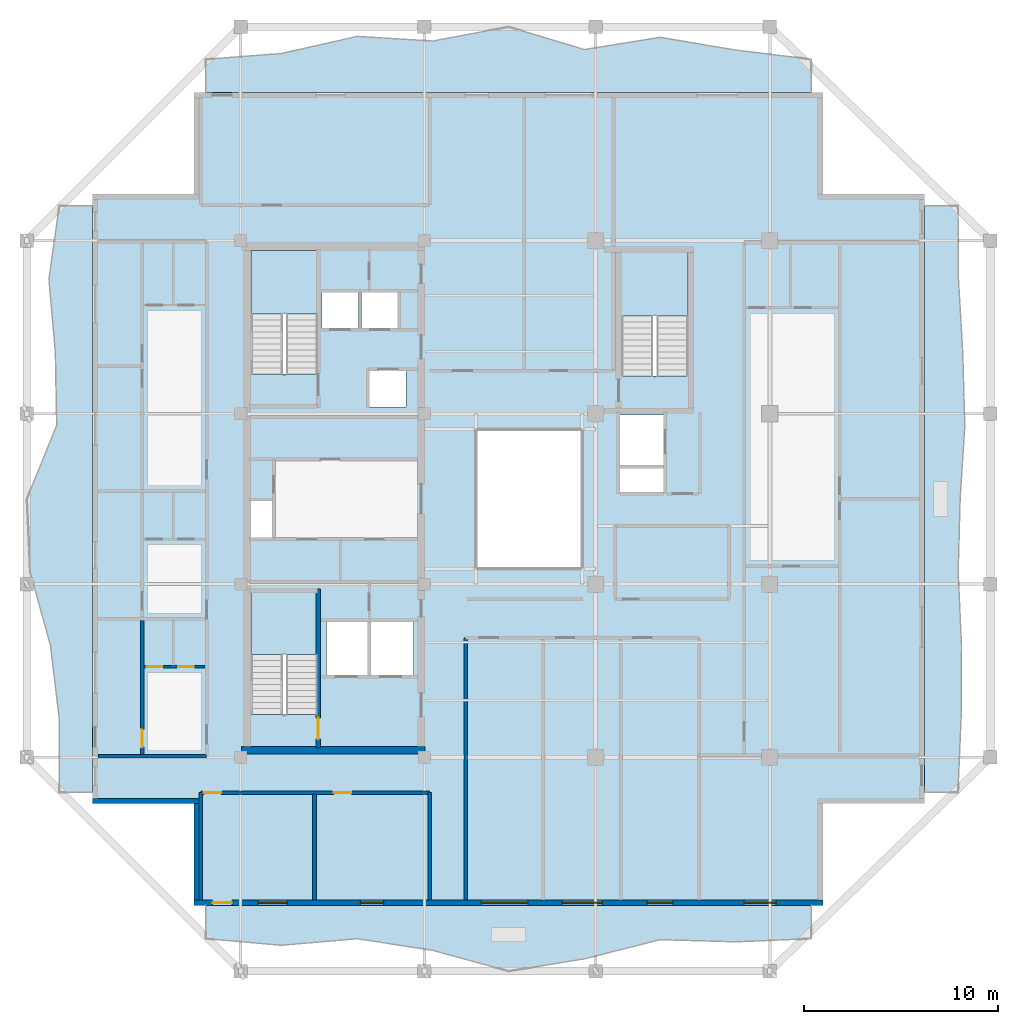
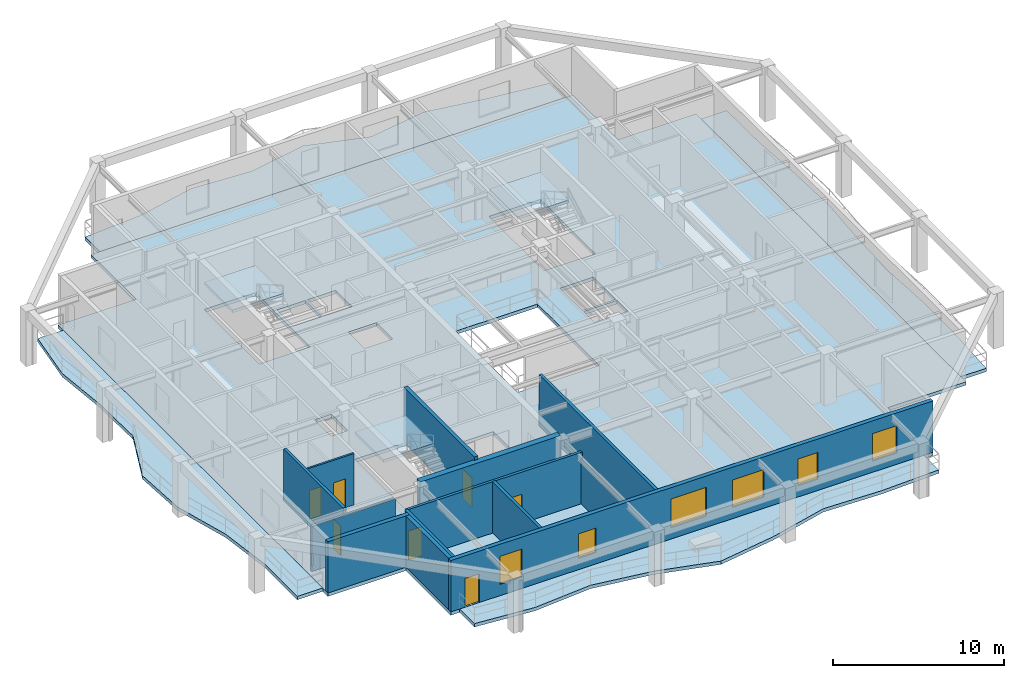
# One storey, part 2 of 11: 13 walls, 8 slabs, 7 doors, 6 windows, 13 openings, 3 elements without a shape of their own.
"""IFC4 building model written with IfcOpenShell, lengths in metres."""

from ifc_helpers import new_model, si_unit, direction, frame, frame_2d, origin, place, context, subcontext, project, spatial, polyline, rectangle, outline, extrude, material, layer, layer_set, type_object, element, fill, aggregate, save


model = new_model("IFC4")

# Units and contexts
model_context = context("Model", 3, precision=1e-05, world=origin(), true_north=direction((0.0, 1.0)))
body_context = subcontext(model_context, "Body", "Model", "MODEL_VIEW")
ifc_project = project(units=[si_unit("LENGTHUNIT", "METRE"), si_unit("AREAUNIT", "SQUARE_METRE"), si_unit("VOLUMEUNIT", "CUBIC_METRE"), si_unit("PLANEANGLEUNIT", "RADIAN"), si_unit("MASSUNIT", "GRAM", prefix="KILO")], contexts=[model_context])

# Site, building, storey
site_placement = place(None, origin())
site = spatial("IfcSite", under=ifc_project, at=site_placement, CompositionType="ELEMENT")
building_placement = place(site_placement, origin())
building = spatial("IfcBuilding", under=site, at=building_placement, Name="Kundavana Baori Tower", CompositionType="ELEMENT")
storey_placement = place(building_placement, frame((0.0, 0.0, 260.89990234375)))
storey = spatial("IfcBuildingStorey", under=building, at=storey_placement, Name="L64", CompositionType="ELEMENT", Elevation=260.89990234375)

# Slab
ifc_material_1 = material(Name="Concrete C40/50", Category="concrete")
ifc_layer_1 = layer(ifc_material_1, 0.239990234375, Name="SLB-FLR-240")
ifc_layer_set_1 = layer_set([ifc_layer_1], Name="Concrete C40/50")
slab_type_1 = type_object("IfcSlabType", Name="SLB-FLR-240", PredefinedType="FLOOR", material=ifc_layer_set_1)
slab_1_placement = place(storey_placement, frame((0.0, 0.0, -0.239990234375)))
element("IfcSlab", 1, at=slab_1_placement, inside=storey, type_object=slab_type_1, Name="L64 Structural Floor Slab", PredefinedType="FLOOR", context=body_context, shape_type="SweptSolid", body=[
    extrude(outline(polyline([(13.050048828125, 7.60009765625), (45.550048828125, 7.60009765625), (45.550048828125, 12.85009765625), (50.800048828125, 12.85009765625), (50.800048828125, 44.35009765625), (45.550048828125, 44.35009765625), (45.550048828125, 49.60009765625), (13.050048828125, 49.60009765625), (13.050048828125, 44.35009765625), (7.800048828125, 44.35009765625), (7.800048828125, 12.85009765625), (13.050048828125, 12.85009765625), (13.050048828125, 7.60009765625)]), holes=[polyline([(19.43994140625, 17.4619140625), (19.43994140625, 23.85009765625), (15.97998046875, 23.85009765625), (15.97998046875, 17.4619140625), (19.43994140625, 17.4619140625)]), polyline([(19.43994140625, 35.06201171875), (19.43994140625, 41.449951171875), (15.97998046875, 41.449951171875), (15.97998046875, 35.06201171875), (19.43994140625, 35.06201171875)]), polyline([(38.580078125, 34.9619140625), (38.580078125, 41.35009765625), (35.1201171875, 41.35009765625), (35.1201171875, 34.9619140625), (38.580078125, 34.9619140625)]), polyline([(19.64990234375, 37.39990234375), (21.550048828125, 37.39990234375), (21.550048828125, 39.300048828125), (19.64990234375, 39.300048828125), (19.64990234375, 37.39990234375)]), polyline([(21.699951171875, 37.39990234375), (23.60009765625, 37.39990234375), (23.60009765625, 39.300048828125), (21.699951171875, 39.300048828125), (21.699951171875, 37.39990234375)]), polyline([(22.10009765625, 33.35009765625), (24.0, 33.35009765625), (24.0, 35.25), (22.10009765625, 35.25), (22.10009765625, 33.35009765625)]), polyline([(19.8798828125, 19.5), (22.02001953125, 19.5), (22.02001953125, 22.25), (19.8798828125, 22.25), (19.8798828125, 19.5)]), polyline([(22.179931640625, 19.5), (24.3798828125, 19.5), (24.3798828125, 22.25), (22.179931640625, 22.25), (22.179931640625, 19.5)]), polyline([(35.050048828125, 30.35009765625), (37.300048828125, 30.35009765625), (37.300048828125, 32.949951171875), (35.050048828125, 32.949951171875), (35.050048828125, 30.35009765625)]), polyline([(15.949951171875, 26.60009765625), (17.080078125, 26.60009765625), (17.080078125, 28.5), (15.949951171875, 28.5), (15.949951171875, 26.60009765625)]), polyline([(35.050048828125, 28.949951171875), (37.300048828125, 28.949951171875), (37.300048828125, 30.199951171875), (35.050048828125, 30.199951171875), (35.050048828125, 28.949951171875)]), polyline([(27.60009765625, 25.0), (33.10009765625, 25.0), (33.10009765625, 32.199951171875), (27.60009765625, 32.199951171875), (27.60009765625, 25.0)])]), origin(), (0.0, 0.0, 1.0), 0.239990234375),
])

# Stair, slab
ifc_material_2 = material(Name="Concrete C40/50", Category="concrete")
stair_type = type_object("IfcStairType", Name="STR-DOG-1650", PredefinedType="HALF_TURN_STAIR", material=ifc_material_2)
stair_1_placement = place(storey_placement, origin())
stair_1 = element("IfcStair", 2, at=stair_1_placement, inside=storey, type_object=stair_type, Name="L64 Protected Exit Stair ST1", PredefinedType="HALF_TURN_STAIR")
ifc_material_3 = material(Name="Concrete C40/50", Category="concrete")
ifc_layer_2 = layer(ifc_material_3, 0.199951171875, Name="SLB-LND-200")
ifc_layer_set_2 = layer_set([ifc_layer_2], Name="Concrete C40/50")
slab_type_2 = type_object("IfcSlabType", Name="SLB-LND-200", PredefinedType="LANDING", material=ifc_layer_set_2)
slab_2_placement = place(storey_placement, frame((0.0, 0.0, 1.75)))
slab_2 = element("IfcSlab", 3, at=slab_2_placement, type_object=slab_type_2, Name="ST1 landing 1", PredefinedType="LANDING", context=body_context, shape_type="SweptSolid", body=[
    extrude(outline(polyline([(19.43994140625, 20.550048828125), (19.43994140625, 23.85009765625), (15.97998046875, 23.85009765625), (15.97998046875, 20.550048828125), (19.43994140625, 20.550048828125)])), origin(), (0.0, 0.0, 1.0), 0.2001953125),
])
aggregate(stair_1, [slab_2])

stair_2_placement = place(storey_placement, origin())
stair_2 = element("IfcStair", 4, at=stair_2_placement, inside=storey, type_object=stair_type, Name="L64 Protected Exit Stair ST2", PredefinedType="HALF_TURN_STAIR")
slab_3_placement = place(storey_placement, frame((0.0, 0.0, 1.75)))
slab_3 = element("IfcSlab", 5, at=slab_3_placement, type_object=slab_type_2, Name="ST2 landing 1", PredefinedType="LANDING", context=body_context, shape_type="SweptSolid", body=[
    extrude(outline(polyline([(19.43994140625, 38.14990234375), (19.43994140625, 41.449951171875), (15.97998046875, 41.449951171875), (15.97998046875, 38.14990234375), (19.43994140625, 38.14990234375)])), origin(), (0.0, 0.0, 1.0), 0.2001953125),
])
aggregate(stair_2, [slab_3])

stair_3_placement = place(storey_placement, origin())
stair_3 = element("IfcStair", 6, at=stair_3_placement, inside=storey, type_object=stair_type, Name="L64 Protected Exit Stair ST3", PredefinedType="HALF_TURN_STAIR")
slab_4_placement = place(storey_placement, frame((0.0, 0.0, 1.75)))
slab_4 = element("IfcSlab", 7, at=slab_4_placement, type_object=slab_type_2, Name="ST3 landing 1", PredefinedType="LANDING", context=body_context, shape_type="SweptSolid", body=[
    extrude(outline(polyline([(38.580078125, 38.050048828125), (38.580078125, 41.35009765625), (35.1201171875, 41.35009765625), (35.1201171875, 38.050048828125), (38.580078125, 38.050048828125)])), origin(), (0.0, 0.0, 1.0), 0.2001953125),
])
aggregate(stair_3, [slab_4])

# Slabs
ifc_material_4 = material(Name="Concrete C40/50", Category="concrete")
ifc_layer_3 = layer(ifc_material_4, 0.239990234375, Name="SLB-LOG-240")
ifc_layer_set_3 = layer_set([ifc_layer_3], Name="Concrete C40/50")
slab_type_3 = type_object("IfcSlabType", Name="SLB-LOG-240", PredefinedType="FLOOR", material=ifc_layer_set_3)
slab_5_placement = place(storey_placement, frame((0.0, 0.0, -0.239990234375)))
element("IfcSlab", 8, at=slab_5_placement, inside=storey, type_object=slab_type_3, Name="L64 Planted Loggia Balcony Slab S", PredefinedType="FLOOR", context=body_context, shape_type="SweptSolid", body=[
    extrude(outline(polyline([(13.64990234375, 7.60009765625), (44.949951171875, 7.60009765625), (44.949951171875, 5.8798828125), (41.0380859375, 5.712890625), (37.125, 5.825927734375), (33.212890625, 4.8310546875), (29.300048828125, 4.199951171875), (25.387939453125, 5.27001953125), (21.47509765625, 5.8740234375), (17.56201171875, 5.534912109375), (13.64990234375, 5.8798828125), (13.64990234375, 7.60009765625)])), origin(), (0.0, 0.0, 1.0), 0.239990234375),
])
slab_6_placement = place(storey_placement, frame((0.0, 0.0, -0.239990234375)))
element("IfcSlab", 9, at=slab_6_placement, inside=storey, type_object=slab_type_3, Name="L64 Planted Loggia Balcony Slab E", PredefinedType="FLOOR", context=body_context, shape_type="SweptSolid", body=[
    extrude(outline(polyline([(50.800048828125, 13.449951171875), (50.800048828125, 43.75), (52.52001953125, 43.75), (52.547119140625, 39.9619140625), (52.76611328125, 36.175048828125), (52.8740234375, 32.387939453125), (52.633056640625, 28.60009765625), (52.531982421875, 24.81201171875), (52.7041015625, 21.02490234375), (52.679931640625, 17.238037109375), (52.52001953125, 13.449951171875), (50.800048828125, 13.449951171875)])), origin(), (0.0, 0.0, 1.0), 0.239990234375),
])
slab_7_placement = place(storey_placement, frame((0.0, 0.0, -0.239990234375)))
element("IfcSlab", 10, at=slab_7_placement, inside=storey, type_object=slab_type_3, Name="L64 Planted Loggia Balcony Slab N", PredefinedType="FLOOR", context=body_context, shape_type="SweptSolid", body=[
    extrude(outline(polyline([(44.949951171875, 49.60009765625), (13.64990234375, 49.60009765625), (13.64990234375, 51.320068359375), (17.56201171875, 51.617919921875), (21.47509765625, 52.501953125), (25.387939453125, 52.261962890625), (29.300048828125, 53.0), (33.212890625, 51.822998046875), (37.125, 52.4541015625), (41.0380859375, 51.7958984375), (44.949951171875, 51.320068359375), (44.949951171875, 49.60009765625)])), origin(), (0.0, 0.0, 1.0), 0.239990234375),
])
slab_8_placement = place(storey_placement, frame((0.0, 0.0, -0.239990234375)))
element("IfcSlab", 11, at=slab_8_placement, inside=storey, type_object=slab_type_3, Name="L64 Planted Loggia Balcony Slab W", PredefinedType="FLOOR", context=body_context, shape_type="SweptSolid", body=[
    extrude(outline(polyline([(7.800048828125, 43.75), (7.800048828125, 13.449951171875), (6.080078125, 13.449951171875), (6.077880859375, 17.238037109375), (5.626953125, 21.02490234375), (4.576904296875, 24.81201171875), (4.39990234375, 28.60009765625), (5.945068359375, 32.387939453125), (5.876953125, 36.175048828125), (5.5439453125, 39.9619140625), (6.080078125, 43.75), (7.800048828125, 43.75)])), origin(), (0.0, 0.0, 1.0), 0.239990234375),
])

# Wall
ifc_material_5 = material(Name="Concrete C50/60", Category="concrete")
ifc_layer_4 = layer(ifc_material_5, 0.39990234375, Name="WL-CORE-400")
ifc_layer_set_4 = layer_set([ifc_layer_4], Name="Concrete C50/60")
wall_type_1 = type_object("IfcWallType", Name="WL-CORE-400", PredefinedType="SHEAR", material=ifc_layer_set_4)
wall_1_placement = place(storey_placement, frame((15.5, 15.610107421875, 0.0), z_axis=(0.0, 0.0, 1.0), x_axis=(1.0, 0.0, 0.0)))
element("IfcWall", 12, at=wall_1_placement, inside=storey, type_object=wall_type_1, Name="L64 Offset Core South Shear Wall", PredefinedType="SHEAR", context=body_context, shape_type="SweptSolid", body=[
    extrude(rectangle(XDim=9.47998046875, YDim=0.39990234375, at=frame_2d((4.739990234375, 0.0))), origin(), (0.0, 0.0, 1.0), 3.66015625),
])

# Wall, opening, door
wall_2_placement = place(storey_placement, frame((19.4599609375, 15.739990234375, 0.0), z_axis=(0.0, 0.0, 1.0), x_axis=(0.0, 1.0, 0.0)))
wall_2 = element("IfcWall", 13, at=wall_2_placement, inside=storey, type_object=wall_type_1, Name="WL-L64-ST1-E", PredefinedType="SHEAR", context=body_context, shape_type="SweptSolid", body=[
    extrude(rectangle(XDim=8.199951171875, YDim=0.239990234375, at=frame_2d((4.10009765625, 0.0))), origin(), (0.0, 0.0, 1.0), 3.900146484375),
])
opening_1_placement = place(wall_2_placement, frame((0.449951171875, 0.0, 0.0)))
opening_1 = element("IfcOpeningElement", 14, at=opening_1_placement, cuts=wall_2, Name="Opening FD-110", PredefinedType="OPENING", context=body_context, shape_type="SweptSolid", body=[
    extrude(rectangle(XDim=1.10009765625, YDim=2.10009765625, at=frame_2d((0.550048828125, 1.050048828125))), frame((0.0, 0.1298828125, 0.0), z_axis=(0.0, -1.0, 0.0), x_axis=(1.0, 0.0, 0.0)), (0.0, 0.0, 1.0), 0.260009765625),
])
ifc_material_6 = material(Name="Galvanised Steel Fire-Rated Door Leaf", Category="steel")
door_type_1 = type_object("IfcDoorType", Name="DR-FD120-1100", OperationType="NOTDEFINED", PredefinedType="DOOR", material=ifc_material_6)
door_1_placement = place(opening_1_placement, origin())
door_1 = element("IfcDoor", 15, at=door_1_placement, inside=storey, type_object=door_type_1, Name="DR-L64-ST1", OperationType="SINGLE_SWING_LEFT", OverallHeight=2.10009765625, OverallWidth=1.10009765625, PredefinedType="DOOR", context=body_context, shape_type="SweptSolid", body=[
    extrude(rectangle(XDim=1.10009765625, YDim=2.10009765625, at=frame_2d((0.550048828125, 1.050048828125))), frame((0.0, 0.02490234375, 0.0), z_axis=(0.0, -1.0, 0.0), x_axis=(1.0, 0.0, 0.0)), (0.0, 0.0, 1.0), 0.050048828125),
])
fill(opening_1, door_1)

# Wall, openings, door, windows
ifc_material_7 = material(Name="Red-Buff Dholpur Sandstone Cladding on Concrete C40/50", Category="masonry")
ifc_layer_5 = layer(ifc_material_7, 0.280029296875, Name="WL-EXT-SAND-280")
ifc_layer_set_5 = layer_set([ifc_layer_5], Name="Red-Buff Dholpur Sandstone Cladding on Concrete C40/50")
wall_type_2 = type_object("IfcWallType", Name="WL-EXT-SAND-280", PredefinedType="STANDARD", material=ifc_layer_set_5)
wall_3_placement = place(storey_placement, frame((13.050048828125, 7.739990234375, 0.0), z_axis=(0.0, 0.0, 1.0), x_axis=(1.0, 0.0, 0.0)))
wall_3 = element("IfcWall", 16, at=wall_3_placement, inside=storey, type_object=wall_type_2, Name="L64 Exterior Insulated Facade Wall 01", PredefinedType="STANDARD", context=body_context, shape_type="SweptSolid", body=[
    extrude(rectangle(XDim=32.5, YDim=0.280029296875, at=frame_2d((16.25, 0.0))), origin(), (0.0, 0.0, 1.0), 3.66015625),
])
opening_2_placement = place(wall_3_placement, frame((0.949951171875, 0.0, 0.0)))
opening_2 = element("IfcOpeningElement", 17, at=opening_2_placement, cuts=wall_3, Name="Opening BD-1", PredefinedType="OPENING", context=body_context, shape_type="SweptSolid", body=[
    extrude(rectangle(XDim=1.0, YDim=2.050048828125, at=frame_2d((0.5, 1.02490234375))), frame((0.0, 0.14990234375, 0.0), z_axis=(0.0, -1.0, 0.0), x_axis=(1.0, 0.0, 0.0)), (0.0, 0.0, 1.0), 0.300048828125),
])
opening_3_placement = place(wall_3_placement, frame((3.31005859375, 0.0, 0.800048828125)))
opening_3 = element("IfcOpeningElement", 18, at=opening_3_placement, cuts=wall_3, Name="Opening W-02", PredefinedType="OPENING", context=body_context, shape_type="SweptSolid", body=[
    extrude(rectangle(XDim=1.5, YDim=2.0, at=frame_2d((0.75, 1.0))), frame((0.0, 0.14990234375, 0.0), z_axis=(0.0, -1.0, 0.0), x_axis=(1.0, 0.0, 0.0)), (0.0, 0.0, 1.0), 0.300048828125),
])
opening_4_placement = place(wall_3_placement, frame((8.594970703125, 0.0, 0.800048828125)))
opening_4 = element("IfcOpeningElement", 19, at=opening_4_placement, cuts=wall_3, Name="Opening W-03", PredefinedType="OPENING", context=body_context, shape_type="SweptSolid", body=[
    extrude(rectangle(XDim=1.199951171875, YDim=1.75, at=frame_2d((0.60009765625, 0.875))), frame((0.0, 0.14990234375, 0.0), z_axis=(0.0, -1.0, 0.0), x_axis=(1.0, 0.0, 0.0)), (0.0, 0.0, 1.0), 0.300048828125),
])
opening_5_placement = place(wall_3_placement, frame((14.840087890625, 0.0, 0.800048828125)))
opening_5 = element("IfcOpeningElement", 20, at=opening_5_placement, cuts=wall_3, Name="Opening W-04", PredefinedType="OPENING", context=body_context, shape_type="SweptSolid", body=[
    extrude(rectangle(XDim=2.39990234375, YDim=2.050048828125, at=frame_2d((1.199951171875, 1.02490234375))), frame((0.0, 0.14990234375, 0.0), z_axis=(0.0, -1.0, 0.0), x_axis=(1.0, 0.0, 0.0)), (0.0, 0.0, 1.0), 0.300048828125),
])
opening_6_placement = place(wall_3_placement, frame((19.0, 0.0, 0.800048828125)))
opening_6 = element("IfcOpeningElement", 21, at=opening_6_placement, cuts=wall_3, Name="Opening W-05", PredefinedType="OPENING", context=body_context, shape_type="SweptSolid", body=[
    extrude(rectangle(XDim=2.10009765625, YDim=1.949951171875, at=frame_2d((1.050048828125, 0.97509765625))), frame((0.0, 0.14990234375, 0.0), z_axis=(0.0, -1.0, 0.0), x_axis=(1.0, 0.0, 0.0)), (0.0, 0.0, 1.0), 0.300048828125),
])
opening_7_placement = place(wall_3_placement, frame((23.39990234375, 0.0, 0.800048828125)))
opening_7 = element("IfcOpeningElement", 22, at=opening_7_placement, cuts=wall_3, Name="Opening W-07", PredefinedType="OPENING", context=body_context, shape_type="SweptSolid", body=[
    extrude(rectangle(XDim=1.35009765625, YDim=1.89990234375, at=frame_2d((0.675048828125, 0.949951171875))), frame((0.0, 0.14990234375, 0.0), z_axis=(0.0, -1.0, 0.0), x_axis=(1.0, 0.0, 0.0)), (0.0, 0.0, 1.0), 0.300048828125),
])
opening_8_placement = place(wall_3_placement, frame((28.419921875, 0.0, 0.800048828125)))
opening_8 = element("IfcOpeningElement", 23, at=opening_8_placement, cuts=wall_3, Name="Opening W-08", PredefinedType="OPENING", context=body_context, shape_type="SweptSolid", body=[
    extrude(rectangle(XDim=1.64990234375, YDim=1.949951171875, at=frame_2d((0.824951171875, 0.97509765625))), frame((0.0, 0.14990234375, 0.0), z_axis=(0.0, -1.0, 0.0), x_axis=(1.0, 0.0, 0.0)), (0.0, 0.0, 1.0), 0.300048828125),
])
ifc_material_8 = material(Name="Architectural Patinated Bronze Metalwork")
door_type_2 = type_object("IfcDoorType", Name="DR-EXT-LOG-1000", OperationType="NOTDEFINED", PredefinedType="DOOR", material=ifc_material_8)
door_2_placement = place(opening_2_placement, frame((1.0, 0.0, 0.0), z_axis=(0.0, 0.0, 1.0), x_axis=(-1.0, 0.0, 0.0)))
door_2 = element("IfcDoor", 24, at=door_2_placement, inside=storey, type_object=door_type_2, Name="L64 Loggia Balcony Access Door S", OperationType="SINGLE_SWING_LEFT", OverallHeight=2.050048828125, OverallWidth=1.0, PredefinedType="DOOR", context=body_context, shape_type="SweptSolid", body=[
    extrude(rectangle(XDim=1.0, YDim=2.050048828125, at=frame_2d((0.5, 1.02490234375))), frame((0.0, 0.02490234375, 0.0), z_axis=(0.0, -1.0, 0.0), x_axis=(1.0, 0.0, 0.0)), (0.0, 0.0, 1.0), 0.050048828125),
])
fill(opening_2, door_2)
ifc_material_9 = material(Name="Double-Glazed Solar-Control Low-E Insulated Glass", Category="glass")
window_type_1 = type_object("IfcWindowType", Name="WIN-LOG-1200x1750", PartitioningType="SINGLE_PANEL", PredefinedType="WINDOW", material=ifc_material_9)
window_1_placement = place(opening_4_placement, origin())
window_1 = element("IfcWindow", 25, at=window_1_placement, inside=storey, type_object=window_type_1, Name="L64 Recessed Loggia Window S-2", OverallHeight=1.75, OverallWidth=1.199951171875, PartitioningType="SINGLE_PANEL", PredefinedType="WINDOW", context=body_context, shape_type="SweptSolid", body=[
    extrude(rectangle(XDim=1.199951171875, YDim=1.75, at=frame_2d((0.60009765625, 0.875))), frame((0.0, 0.030029296875, 0.0), z_axis=(0.0, -1.0, 0.0), x_axis=(1.0, 0.0, 0.0)), (0.0, 0.0, 1.0), 0.06005859375),
])
fill(opening_4, window_1)
ifc_material_10 = material(Name="Double-Glazed Solar-Control Low-E Insulated Glass", Category="glass")
window_type_2 = type_object("IfcWindowType", Name="WIN-LOG-1350x1900", PartitioningType="SINGLE_PANEL", PredefinedType="WINDOW", material=ifc_material_10)
window_2_placement = place(opening_7_placement, origin())
window_2 = element("IfcWindow", 26, at=window_2_placement, inside=storey, type_object=window_type_2, Name="L64 Recessed Loggia Window S-5", OverallHeight=1.89990234375, OverallWidth=1.35009765625, PartitioningType="SINGLE_PANEL", PredefinedType="WINDOW", context=body_context, shape_type="SweptSolid", body=[
    extrude(rectangle(XDim=1.35009765625, YDim=1.89990234375, at=frame_2d((0.675048828125, 0.949951171875))), frame((0.0, 0.030029296875, 0.0), z_axis=(0.0, -1.0, 0.0), x_axis=(1.0, 0.0, 0.0)), (0.0, 0.0, 1.0), 0.06005859375),
])
fill(opening_7, window_2)
ifc_material_11 = material(Name="Double-Glazed Solar-Control Low-E Insulated Glass", Category="glass")
window_type_3 = type_object("IfcWindowType", Name="WIN-LOG-1500x2000", PartitioningType="SINGLE_PANEL", PredefinedType="WINDOW", material=ifc_material_11)
window_3_placement = place(opening_3_placement, origin())
window_3 = element("IfcWindow", 27, at=window_3_placement, inside=storey, type_object=window_type_3, Name="L64 Recessed Loggia Window S-1", OverallHeight=2.0, OverallWidth=1.5, PartitioningType="SINGLE_PANEL", PredefinedType="WINDOW", context=body_context, shape_type="SweptSolid", body=[
    extrude(rectangle(XDim=1.5, YDim=2.0, at=frame_2d((0.75, 1.0))), frame((0.0, 0.030029296875, 0.0), z_axis=(0.0, -1.0, 0.0), x_axis=(1.0, 0.0, 0.0)), (0.0, 0.0, 1.0), 0.06005859375),
])
fill(opening_3, window_3)
ifc_material_12 = material(Name="Double-Glazed Solar-Control Low-E Insulated Glass", Category="glass")
window_type_4 = type_object("IfcWindowType", Name="WIN-LOG-1650x1950", PartitioningType="SINGLE_PANEL", PredefinedType="WINDOW", material=ifc_material_12)
window_4_placement = place(opening_8_placement, origin())
window_4 = element("IfcWindow", 28, at=window_4_placement, inside=storey, type_object=window_type_4, Name="L64 Recessed Loggia Window S-6", OverallHeight=1.949951171875, OverallWidth=1.64990234375, PartitioningType="SINGLE_PANEL", PredefinedType="WINDOW", context=body_context, shape_type="SweptSolid", body=[
    extrude(rectangle(XDim=1.64990234375, YDim=1.949951171875, at=frame_2d((0.824951171875, 0.97509765625))), frame((0.0, 0.030029296875, 0.0), z_axis=(0.0, -1.0, 0.0), x_axis=(1.0, 0.0, 0.0)), (0.0, 0.0, 1.0), 0.06005859375),
])
fill(opening_8, window_4)
ifc_material_13 = material(Name="Double-Glazed Solar-Control Low-E Insulated Glass", Category="glass")
window_type_5 = type_object("IfcWindowType", Name="WIN-LOG-2100x1950", PartitioningType="SINGLE_PANEL", PredefinedType="WINDOW", material=ifc_material_13)
window_5_placement = place(opening_6_placement, origin())
window_5 = element("IfcWindow", 29, at=window_5_placement, inside=storey, type_object=window_type_5, Name="L64 Recessed Loggia Window S-4", OverallHeight=1.949951171875, OverallWidth=2.10009765625, PartitioningType="SINGLE_PANEL", PredefinedType="WINDOW", context=body_context, shape_type="SweptSolid", body=[
    extrude(rectangle(XDim=2.10009765625, YDim=1.949951171875, at=frame_2d((1.050048828125, 0.97509765625))), frame((0.0, 0.030029296875, 0.0), z_axis=(0.0, -1.0, 0.0), x_axis=(1.0, 0.0, 0.0)), (0.0, 0.0, 1.0), 0.06005859375),
])
fill(opening_6, window_5)
ifc_material_14 = material(Name="Double-Glazed Solar-Control Low-E Insulated Glass", Category="glass")
window_type_6 = type_object("IfcWindowType", Name="WIN-LOG-2400x2050", PartitioningType="SINGLE_PANEL", PredefinedType="WINDOW", material=ifc_material_14)
window_6_placement = place(opening_5_placement, origin())
window_6 = element("IfcWindow", 30, at=window_6_placement, inside=storey, type_object=window_type_6, Name="L64 Recessed Loggia Window S-3", OverallHeight=2.050048828125, OverallWidth=2.39990234375, PartitioningType="SINGLE_PANEL", PredefinedType="WINDOW", context=body_context, shape_type="SweptSolid", body=[
    extrude(rectangle(XDim=2.39990234375, YDim=2.050048828125, at=frame_2d((1.199951171875, 1.02490234375))), frame((0.0, 0.030029296875, 0.0), z_axis=(0.0, -1.0, 0.0), x_axis=(1.0, 0.0, 0.0)), (0.0, 0.0, 1.0), 0.06005859375),
])
fill(opening_5, window_6)

# Walls
wall_4_placement = place(storey_placement, frame((7.800048828125, 12.989990234375, 0.0), z_axis=(0.0, 0.0, 1.0), x_axis=(1.0, 0.0, 0.0)))
element("IfcWall", 31, at=wall_4_placement, inside=storey, type_object=wall_type_2, Name="L64 Exterior Insulated Facade Wall 11", PredefinedType="STANDARD", context=body_context, shape_type="SweptSolid", body=[
    extrude(rectangle(XDim=5.530029296875, YDim=0.280029296875, at=frame_2d((2.76513671875, 0.0))), origin(), (0.0, 0.0, 1.0), 3.66015625),
])
wall_5_placement = place(storey_placement, frame((13.18994140625, 12.85009765625, 0.0), z_axis=(0.0, 0.0, 1.0), x_axis=(0.0, -1.0, 0.0)))
element("IfcWall", 32, at=wall_5_placement, inside=storey, type_object=wall_type_2, Name="L64 Exterior Insulated Facade Wall 12", PredefinedType="STANDARD", context=body_context, shape_type="SweptSolid", body=[
    extrude(rectangle(XDim=4.97021484375, YDim=0.280029296875, at=frame_2d((2.485107421875, 0.0))), origin(), (0.0, 0.0, 1.0), 3.66015625),
])
ifc_material_15 = material(Name="Autoclaved Aerated Concrete Blockwork Masonry", Category="masonry")
ifc_layer_6 = layer(ifc_material_15, 0.18505859375, Name="WL-PART-180")
ifc_layer_set_6 = layer_set([ifc_layer_6], Name="Autoclaved Aerated Concrete Blockwork Masonry")
wall_type_3 = type_object("IfcWallType", Name="WL-PART-180", PredefinedType="SOLIDWALL", material=ifc_layer_set_6)
wall_6_placement = place(storey_placement, frame((27.080078125, 7.8798828125, 0.0), z_axis=(0.0, 0.0, 1.0), x_axis=(0.0, 1.0, 0.0)))
element("IfcWall", 33, at=wall_6_placement, inside=storey, type_object=wall_type_3, Name="WL-L64-RSW", PredefinedType="SOLIDWALL", context=body_context, shape_type="SweptSolid", body=[
    extrude(rectangle(XDim=13.5400390625, YDim=0.18505859375, at=frame_2d((6.77001953125, 0.0))), origin(), (0.0, 0.0, 1.0), 3.66015625),
])

# Wall, openings, doors
wall_7_placement = place(storey_placement, frame((13.39990234375, 13.419921875, 0.0), z_axis=(0.0, 0.0, 1.0), x_axis=(1.0, 0.0, 0.0)))
wall_7 = element("IfcWall", 34, at=wall_7_placement, inside=storey, type_object=wall_type_3, Name="WL-L64-RSC", PredefinedType="SOLIDWALL", context=body_context, shape_type="SweptSolid", body=[
    extrude(rectangle(XDim=11.820068359375, YDim=0.18505859375, at=frame_2d((5.91015625, 0.0))), origin(), (0.0, 0.0, 1.0), 3.66015625),
])
opening_9_placement = place(wall_7_placement, frame((0.14990234375, 0.0, 0.0)))
opening_9 = element("IfcOpeningElement", 35, at=opening_9_placement, cuts=wall_7, Name="Opening ID-090", PredefinedType="OPENING", context=body_context, shape_type="SweptSolid", body=[
    extrude(rectangle(XDim=0.89990234375, YDim=2.080078125, at=frame_2d((0.449951171875, 1.0400390625))), frame((0.0, 0.1025390625, 0.0), z_axis=(0.0, -1.0, 0.0), x_axis=(1.0, 0.0, 0.0)), (0.0, 0.0, 1.0), 0.205078125),
])
opening_10_placement = place(wall_7_placement, frame((6.8701171875, 0.0, 0.0)))
opening_10 = element("IfcOpeningElement", 36, at=opening_10_placement, cuts=wall_7, Name="Opening ID-090", PredefinedType="OPENING", context=body_context, shape_type="SweptSolid", body=[
    extrude(rectangle(XDim=0.89990234375, YDim=2.080078125, at=frame_2d((0.449951171875, 1.0400390625))), frame((0.0, 0.1025390625, 0.0), z_axis=(0.0, -1.0, 0.0), x_axis=(1.0, 0.0, 0.0)), (0.0, 0.0, 1.0), 0.205078125),
])
ifc_material_16 = material(Name="Engineered Teak Solid-Core Timber Veneer", Category="wood")
door_type_3 = type_object("IfcDoorType", Name="DR-INT-900", OperationType="NOTDEFINED", PredefinedType="DOOR", material=ifc_material_16)
door_3_placement = place(opening_9_placement, frame((0.89990234375, 0.0, 0.0), z_axis=(0.0, 0.0, 1.0), x_axis=(-1.0, 0.0, 0.0)))
door_3 = element("IfcDoor", 37, at=door_3_placement, inside=storey, type_object=door_type_3, Name="DR-L64-RMSW1", OperationType="SINGLE_SWING_LEFT", OverallHeight=2.080078125, OverallWidth=0.89990234375, PredefinedType="DOOR", context=body_context, shape_type="SweptSolid", body=[
    extrude(rectangle(XDim=0.89990234375, YDim=2.080078125, at=frame_2d((0.449951171875, 1.0400390625))), frame((0.0, 0.02490234375, 0.0), z_axis=(0.0, -1.0, 0.0), x_axis=(1.0, 0.0, 0.0)), (0.0, 0.0, 1.0), 0.050048828125),
])
fill(opening_9, door_3)
door_4_placement = place(opening_10_placement, frame((0.89990234375, 0.0, 0.0), z_axis=(0.0, 0.0, 1.0), x_axis=(-1.0, 0.0, 0.0)))
door_4 = element("IfcDoor", 38, at=door_4_placement, inside=storey, type_object=door_type_3, Name="DR-L64-RMSW2", OperationType="SINGLE_SWING_RIGHT", OverallHeight=2.080078125, OverallWidth=0.89990234375, PredefinedType="DOOR", context=body_context, shape_type="SweptSolid", body=[
    extrude(rectangle(XDim=0.89990234375, YDim=2.080078125, at=frame_2d((0.449951171875, 1.0400390625))), frame((0.0, 0.02490234375, 0.0), z_axis=(0.0, -1.0, 0.0), x_axis=(1.0, 0.0, 0.0)), (0.0, 0.0, 1.0), 0.050048828125),
])
fill(opening_10, door_4)

# Walls
wall_8_placement = place(storey_placement, frame((13.39990234375, 7.8798828125, 0.0), z_axis=(0.0, 0.0, 1.0), x_axis=(0.0, 1.0, 0.0)))
element("IfcWall", 39, at=wall_8_placement, inside=storey, type_object=wall_type_3, Name="WL-L64-RSCW", PredefinedType="SOLIDWALL", context=body_context, shape_type="SweptSolid", body=[
    extrude(rectangle(XDim=5.5400390625, YDim=0.18505859375, at=frame_2d((2.77001953125, 0.0))), origin(), (0.0, 0.0, 1.0), 3.66015625),
])
wall_9_placement = place(storey_placement, frame((25.219970703125, 7.8798828125, 0.0), z_axis=(0.0, 0.0, 1.0), x_axis=(0.0, 1.0, 0.0)))
element("IfcWall", 40, at=wall_9_placement, inside=storey, type_object=wall_type_3, Name="WL-L64-RSCE", PredefinedType="SOLIDWALL", context=body_context, shape_type="SweptSolid", body=[
    extrude(rectangle(XDim=5.5400390625, YDim=0.18505859375, at=frame_2d((2.77001953125, 0.0))), origin(), (0.0, 0.0, 1.0), 3.210205078125),
])
wall_10_placement = place(storey_placement, frame((19.27001953125, 7.8798828125, 0.0), z_axis=(0.0, 0.0, 1.0), x_axis=(0.0, 1.0, 0.0)))
element("IfcWall", 41, at=wall_10_placement, inside=storey, type_object=wall_type_3, Name="WL-L64-RSCD", PredefinedType="SOLIDWALL", context=body_context, shape_type="SweptSolid", body=[
    extrude(rectangle(XDim=5.480224609375, YDim=0.18505859375, at=frame_2d((2.740234375, 0.0))), origin(), (0.0, 0.0, 1.0), 3.66015625),
])
wall_11_placement = place(storey_placement, frame((8.080078125, 15.300048828125, 0.0), z_axis=(0.0, 0.0, 1.0), x_axis=(1.0, 0.0, 0.0)))
element("IfcWall", 42, at=wall_11_placement, inside=storey, type_object=wall_type_3, Name="WL-L64-RWS", PredefinedType="SOLIDWALL", context=body_context, shape_type="SweptSolid", body=[
    extrude(rectangle(XDim=5.619873046875, YDim=0.18505859375, at=frame_2d((2.81005859375, 0.0))), origin(), (0.0, 0.0, 1.0), 3.210205078125),
])

# Wall, opening, door
wall_12_placement = place(storey_placement, frame((10.3701171875, 15.3798828125, 0.0), z_axis=(0.0, 0.0, 1.0), x_axis=(0.0, 1.0, 0.0)))
wall_12 = element("IfcWall", 43, at=wall_12_placement, inside=storey, type_object=wall_type_3, Name="WL-L64-W1-VT", PredefinedType="SOLIDWALL", context=body_context, shape_type="SweptSolid", body=[
    extrude(rectangle(XDim=6.940185546875, YDim=0.18505859375, at=frame_2d((3.47021484375, 0.0))), origin(), (0.0, 0.0, 1.0), 3.66015625),
])
opening_11_placement = place(wall_12_placement, frame((0.39990234375, 0.0, 0.0)))
opening_11 = element("IfcOpeningElement", 44, at=opening_11_placement, cuts=wall_12, Name="Opening ID-090", PredefinedType="OPENING", context=body_context, shape_type="SweptSolid", body=[
    extrude(rectangle(XDim=0.89990234375, YDim=2.080078125, at=frame_2d((0.449951171875, 1.0400390625))), frame((0.0, 0.1025390625, 0.0), z_axis=(0.0, -1.0, 0.0), x_axis=(1.0, 0.0, 0.0)), (0.0, 0.0, 1.0), 0.205078125),
])
door_5_placement = place(opening_11_placement, frame((0.89990234375, 0.0, 0.0), z_axis=(0.0, 0.0, 1.0), x_axis=(-1.0, 0.0, 0.0)))
door_5 = element("IfcDoor", 45, at=door_5_placement, inside=storey, type_object=door_type_3, Name="DR-L64-W1-B1", OperationType="SINGLE_SWING_LEFT", OverallHeight=2.080078125, OverallWidth=0.89990234375, PredefinedType="DOOR", context=body_context, shape_type="SweptSolid", body=[
    extrude(rectangle(XDim=0.89990234375, YDim=2.080078125, at=frame_2d((0.449951171875, 1.0400390625))), frame((0.0, 0.02490234375, 0.0), z_axis=(0.0, -1.0, 0.0), x_axis=(1.0, 0.0, 0.0)), (0.0, 0.0, 1.0), 0.050048828125),
])
fill(opening_11, door_5)

# Wall, openings, doors
ifc_material_17 = material(Name="Autoclaved Aerated Concrete Blockwork Masonry", Category="masonry")
ifc_layer_7 = layer(ifc_material_17, 0.125, Name="WL-WET-120")
ifc_layer_set_7 = layer_set([ifc_layer_7], Name="Autoclaved Aerated Concrete Blockwork Masonry")
wall_type_4 = type_object("IfcWallType", Name="WL-WET-120", PredefinedType="PLUMBINGWALL", material=ifc_layer_set_7)
wall_13_placement = place(storey_placement, frame((10.449951171875, 19.919921875, 0.0), z_axis=(0.0, 0.0, 1.0), x_axis=(1.0, 0.0, 0.0)))
wall_13 = element("IfcWall", 46, at=wall_13_placement, inside=storey, type_object=wall_type_4, Name="WL-L64-W1-KH", PredefinedType="PLUMBINGWALL", context=body_context, shape_type="SweptSolid", body=[
    extrude(rectangle(XDim=3.170166015625, YDim=0.125, at=frame_2d((1.5849609375, 0.0))), origin(), (0.0, 0.0, 1.0), 3.66015625),
])
opening_12_placement = place(wall_13_placement, frame((0.159912109375, 0.0, 0.0)))
opening_12 = element("IfcOpeningElement", 47, at=opening_12_placement, cuts=wall_13, Name="Opening WD-080", PredefinedType="OPENING", context=body_context, shape_type="SweptSolid", body=[
    extrude(rectangle(XDim=0.800048828125, YDim=2.050048828125, at=frame_2d((0.39990234375, 1.02490234375))), frame((0.0, 0.072509765625, 0.0), z_axis=(0.0, -1.0, 0.0), x_axis=(1.0, 0.0, 0.0)), (0.0, 0.0, 1.0), 0.14501953125),
])
opening_13_placement = place(wall_13_placement, frame((1.781982421875, 0.0, 0.0)))
opening_13 = element("IfcOpeningElement", 48, at=opening_13_placement, cuts=wall_13, Name="Opening WD-080", PredefinedType="OPENING", context=body_context, shape_type="SweptSolid", body=[
    extrude(rectangle(XDim=0.800048828125, YDim=2.050048828125, at=frame_2d((0.39990234375, 1.02490234375))), frame((0.0, 0.072509765625, 0.0), z_axis=(0.0, -1.0, 0.0), x_axis=(1.0, 0.0, 0.0)), (0.0, 0.0, 1.0), 0.14501953125),
])
ifc_material_18 = material(Name="Engineered Teak Solid-Core Timber Veneer", Category="wood")
door_type_4 = type_object("IfcDoorType", Name="DR-WET-800", OperationType="NOTDEFINED", PredefinedType="DOOR", material=ifc_material_18)
door_6_placement = place(opening_12_placement, origin())
door_6 = element("IfcDoor", 49, at=door_6_placement, inside=storey, type_object=door_type_4, Name="DR-L64-W1-BT", OperationType="SINGLE_SWING_LEFT", OverallHeight=2.050048828125, OverallWidth=0.800048828125, PredefinedType="DOOR", context=body_context, shape_type="SweptSolid", body=[
    extrude(rectangle(XDim=0.800048828125, YDim=2.050048828125, at=frame_2d((0.39990234375, 1.02490234375))), frame((0.0, 0.02490234375, 0.0), z_axis=(0.0, -1.0, 0.0), x_axis=(1.0, 0.0, 0.0)), (0.0, 0.0, 1.0), 0.050048828125),
])
fill(opening_12, door_6)
door_7_placement = place(opening_13_placement, origin())
door_7 = element("IfcDoor", 50, at=door_7_placement, inside=storey, type_object=door_type_4, Name="DR-L64-W1-KT", OperationType="SINGLE_SWING_RIGHT", OverallHeight=2.050048828125, OverallWidth=0.800048828125, PredefinedType="DOOR", context=body_context, shape_type="SweptSolid", body=[
    extrude(rectangle(XDim=0.800048828125, YDim=2.050048828125, at=frame_2d((0.39990234375, 1.02490234375))), frame((0.0, 0.02490234375, 0.0), z_axis=(0.0, -1.0, 0.0), x_axis=(1.0, 0.0, 0.0)), (0.0, 0.0, 1.0), 0.050048828125),
])
fill(opening_13, door_7)

save(model, "model.ifc")
